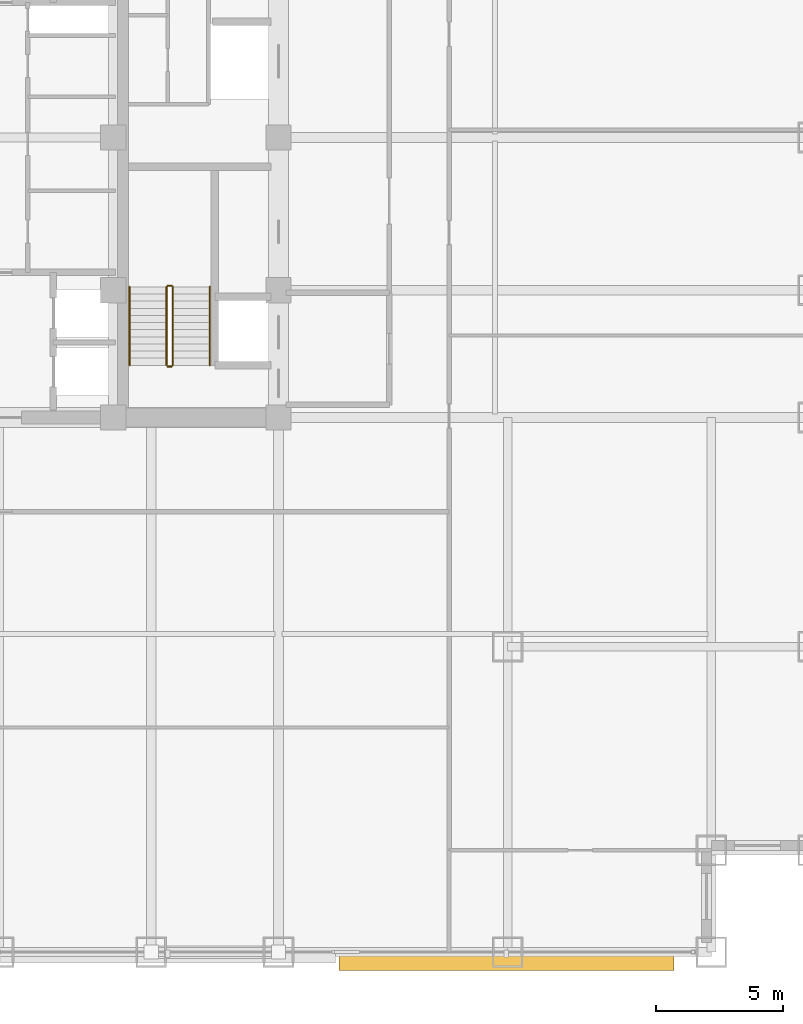
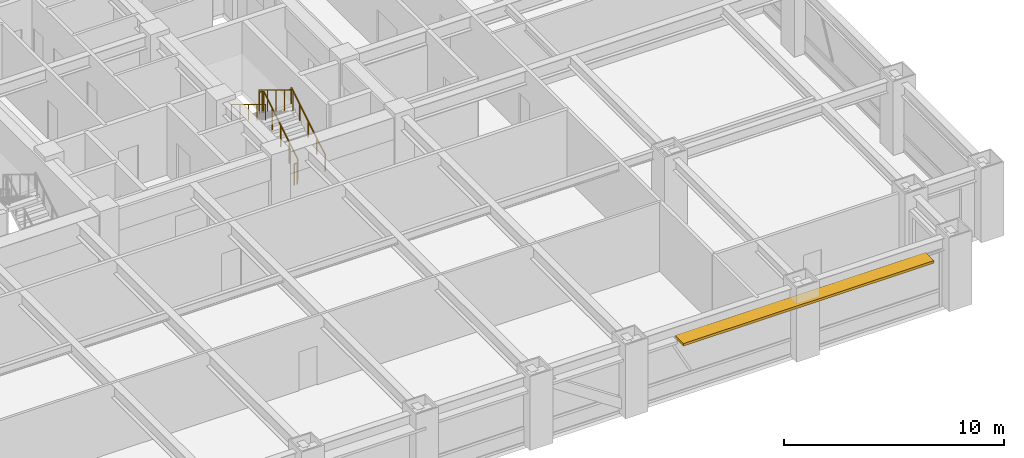
# One storey, part 30 of 32: 6 railings, 1 shading device.
"""IFC4 building model written with IfcOpenShell, lengths in metres."""

from ifc_helpers import new_model, si_unit, direction, frame, origin, origin_2d, place, context, subcontext, project, spatial, rectangle, circle, extrude, source, transform, mapped, material, layer, layer_set, type_object, element, save


model = new_model("IFC4")

# Units and contexts
model_context = context("Model", 3, precision=1e-05, world=origin(), true_north=direction((0.0, 1.0)))
body_context = subcontext(model_context, "Body", "Model", "MODEL_VIEW")
ifc_project = project(units=[si_unit("LENGTHUNIT", "METRE"), si_unit("AREAUNIT", "SQUARE_METRE"), si_unit("VOLUMEUNIT", "CUBIC_METRE"), si_unit("PLANEANGLEUNIT", "RADIAN"), si_unit("MASSUNIT", "GRAM", prefix="KILO")], contexts=[model_context])

# Site, building, storey
site_placement = place(None, origin())
site = spatial("IfcSite", under=ifc_project, at=site_placement, CompositionType="ELEMENT")
building_placement = place(site_placement, origin())
building = spatial("IfcBuilding", under=site, at=building_placement, Name="Khorayat Bourse Tower", CompositionType="ELEMENT")
storey_placement = place(building_placement, frame((0.0, 0.0, 95.5)))
storey = spatial("IfcBuildingStorey", under=building, at=storey_placement, Name="L21", CompositionType="ELEMENT", Elevation=95.5)

# Shading device
ifc_material_1 = material(Name="Precast concrete C45/55", Category="concrete")
ifc_layer = layer(ifc_material_1, 0.139892578125)
ifc_layer_set = layer_set([ifc_layer], Name="Precast concrete C45/55")
shading_device_type = type_object("IfcShadingDeviceType", Name="SHD-WAVE-TRAY-B", PredefinedType="USERDEFINED", material=ifc_layer_set)
shared_shape_1 = source(origin(), body_context, "Body", "SweptSolid", [
    extrude(rectangle(XDim=13.159912109375, YDim=0.751953125, at=origin_2d()), origin(), (0.0, 0.0, 1.0), 0.139892578125),
])
shading_device_placement = place(storey_placement, frame((19.949951171875, -32.35595703125, 3.08984375), z_axis=(0.0, 0.0, 1.0), x_axis=(1.0, 0.0, 0.0)))
element("IfcShadingDevice", 1, at=shading_device_placement, inside=storey, type_object=shading_device_type, Name="L21 Sinusoidal Wave Sunshade Tray S-4", ObjectType="SUNSHADE", PredefinedType="USERDEFINED", context=body_context, shape_type="MappedRepresentation", body=[
    mapped(shared_shape_1, transform((0.0, 0.0, 0.0), scale=1.0)),
])

# Railings
ifc_material_2 = material(Name="Powder-coated steel balustrade", Category="steel")
railing_type_1 = type_object("IfcRailingType", Name="RLG-GUARD-1200", PredefinedType="GUARDRAIL", material=ifc_material_2)
shared_shape_2 = source(origin(), body_context, "Body", "SweptSolid", [
    extrude(circle(Radius=0.02392578125, at=origin_2d()), frame((0.0, 0.0, 1.17578125), z_axis=(-1.0, 0.0, 0.0), x_axis=(0.0, -1.0, 0.0)), (0.0, 0.0, 1.0), 0.150146484375),
    extrude(circle(Radius=0.02099609375, at=origin_2d()), origin(), (0.0, 0.0, 1.0), 1.15185546875),
    extrude(circle(Radius=0.02099609375, at=origin_2d()), frame((-0.150146484375, 0.0, 0.0)), (0.0, 0.0, 1.0), 1.15185546875),
])
for number, where, name in (
    (2, (6.800048828125, -5.820068359375, 2.050048828125), "L21 ST-3 stair guard 2"),
    (3, (6.800048828125, -9.0, 0.0), "L21 ST-3 stair guard 4"),
):
    element("IfcRailing", number, at=place(storey_placement, frame(where)), inside=storey, type_object=railing_type_1, Name=name, PredefinedType="GUARDRAIL", context=body_context, shape_type="MappedRepresentation", body=[
        mapped(shared_shape_2, transform((0.0, 0.0, 0.0), scale=1.0)),
    ])
shared_shape_3 = source(origin(), body_context, "Body", "SweptSolid", [
    extrude(circle(Radius=0.02392578125, at=origin_2d()), frame((0.0, 0.0, 1.17578125), z_axis=(0.0, 0.853647949592, 0.520850437417), x_axis=(-1.0, 0.0, 0.0)), (0.0, 0.0, 1.0), 3.60791015625),
    extrude(circle(Radius=0.02099609375, at=origin_2d()), origin(), (0.0, 0.0, 1.0), 1.15185546875),
    extrude(circle(Radius=0.02099609375, at=origin_2d()), frame((0.0, 0.77001953125, 0.4697265625)), (0.0, 0.0, 1.0), 1.15185546875),
    extrude(circle(Radius=0.02099609375, at=origin_2d()), frame((0.0, 1.5400390625, 0.939453125)), (0.0, 0.0, 1.0), 1.15185546875),
    extrude(circle(Radius=0.02099609375, at=origin_2d()), frame((0.0, 2.309814453125, 1.409423828125)), (0.0, 0.0, 1.0), 1.15185546875),
    extrude(circle(Radius=0.02099609375, at=origin_2d()), frame((0.0, 3.079833984375, 1.879150390625)), (0.0, 0.0, 1.0), 1.15185546875),
])
railing_1_placement = place(storey_placement, frame((6.85009765625, -8.949951171875, 0.1708984375)))
element("IfcRailing", 4, at=railing_1_placement, inside=storey, type_object=railing_type_1, Name="L21 ST-3 stair guard 1", PredefinedType="GUARDRAIL", context=body_context, shape_type="MappedRepresentation", body=[
    mapped(shared_shape_3, transform((0.0, 0.0, 0.0), scale=1.0)),
])
shared_shape_4 = source(origin(), body_context, "Body", "SweptSolid", [
    extrude(circle(Radius=0.02392578125, at=origin_2d()), frame((0.0, 0.0, 1.17578125), z_axis=(0.0, -0.853647949592, 0.520850437417), x_axis=(1.0, 0.0, 0.0)), (0.0, 0.0, 1.0), 3.60791015625),
    extrude(circle(Radius=0.02099609375, at=origin_2d()), origin(), (0.0, 0.0, 1.0), 1.15185546875),
    extrude(circle(Radius=0.02099609375, at=origin_2d()), frame((0.0, -0.77001953125, 0.4697265625)), (0.0, 0.0, 1.0), 1.15185546875),
    extrude(circle(Radius=0.02099609375, at=origin_2d()), frame((0.0, -1.5400390625, 0.939453125)), (0.0, 0.0, 1.0), 1.15185546875),
    extrude(circle(Radius=0.02099609375, at=origin_2d()), frame((0.0, -2.309814453125, 1.409423828125)), (0.0, 0.0, 1.0), 1.15185546875),
    extrude(circle(Radius=0.02099609375, at=origin_2d()), frame((0.0, -3.079833984375, 1.879150390625)), (0.0, 0.0, 1.0), 1.15185546875),
])
railing_2_placement = place(storey_placement, frame((6.60009765625, -5.8701171875, 2.220947265625)))
element("IfcRailing", 5, at=railing_2_placement, inside=storey, type_object=railing_type_1, Name="L21 ST-3 stair guard 3", PredefinedType="GUARDRAIL", context=body_context, shape_type="MappedRepresentation", body=[
    mapped(shared_shape_4, transform((0.0, 0.0, 0.0), scale=1.0)),
])
ifc_material_3 = material(Name="Brushed bronze stainless-steel handrail", Category="steel")
railing_type_2 = type_object("IfcRailingType", Name="RLG-HAND-900", PredefinedType="HANDRAIL", material=ifc_material_3)
shared_shape_5 = source(origin(), body_context, "Body", "SweptSolid", [
    extrude(circle(Radius=0.02392578125, at=origin_2d()), frame((0.0, 0.0, 0.8759765625), z_axis=(0.0, 0.853647949592, 0.520850437417), x_axis=(-1.0, 0.0, 0.0)), (0.0, 0.0, 1.0), 3.60791015625),
    extrude(circle(Radius=0.02099609375, at=origin_2d()), origin(), (0.0, 0.0, 1.0), 0.851806640625),
    extrude(circle(Radius=0.02099609375, at=origin_2d()), frame((0.0, 0.77001953125, 0.4697265625)), (0.0, 0.0, 1.0), 0.851806640625),
    extrude(circle(Radius=0.02099609375, at=origin_2d()), frame((0.0, 1.5400390625, 0.939453125)), (0.0, 0.0, 1.0), 0.851806640625),
    extrude(circle(Radius=0.02099609375, at=origin_2d()), frame((0.0, 2.309814453125, 1.409423828125)), (0.0, 0.0, 1.0), 0.851806640625),
    extrude(circle(Radius=0.02099609375, at=origin_2d()), frame((0.0, 3.079833984375, 1.879150390625)), (0.0, 0.0, 1.0), 0.851806640625),
])
railing_3_placement = place(storey_placement, frame((8.300048828125, -8.949951171875, 0.1708984375)))
element("IfcRailing", 6, at=railing_3_placement, inside=storey, type_object=railing_type_2, Name="L21 ST-3 stair handrail 1", PredefinedType="HANDRAIL", context=body_context, shape_type="MappedRepresentation", body=[
    mapped(shared_shape_5, transform((0.0, 0.0, 0.0), scale=1.0)),
])
shared_shape_6 = source(origin(), body_context, "Body", "SweptSolid", [
    extrude(circle(Radius=0.02392578125, at=origin_2d()), frame((0.0, 0.0, 0.8759765625), z_axis=(0.0, -0.853647949592, 0.520850437417), x_axis=(1.0, 0.0, 0.0)), (0.0, 0.0, 1.0), 3.60791015625),
    extrude(circle(Radius=0.02099609375, at=origin_2d()), origin(), (0.0, 0.0, 1.0), 0.851806640625),
    extrude(circle(Radius=0.02099609375, at=origin_2d()), frame((0.0, -0.77001953125, 0.4697265625)), (0.0, 0.0, 1.0), 0.851806640625),
    extrude(circle(Radius=0.02099609375, at=origin_2d()), frame((0.0, -1.5400390625, 0.939453125)), (0.0, 0.0, 1.0), 0.851806640625),
    extrude(circle(Radius=0.02099609375, at=origin_2d()), frame((0.0, -2.309814453125, 1.409423828125)), (0.0, 0.0, 1.0), 0.851806640625),
    extrude(circle(Radius=0.02099609375, at=origin_2d()), frame((0.0, -3.079833984375, 1.879150390625)), (0.0, 0.0, 1.0), 0.851806640625),
])
railing_4_placement = place(storey_placement, frame((5.14990234375, -5.8701171875, 2.220947265625)))
element("IfcRailing", 7, at=railing_4_placement, inside=storey, type_object=railing_type_2, Name="L21 ST-3 stair handrail 2", PredefinedType="HANDRAIL", context=body_context, shape_type="MappedRepresentation", body=[
    mapped(shared_shape_6, transform((0.0, 0.0, 0.0), scale=1.0)),
])

save(model, "model.ifc")
